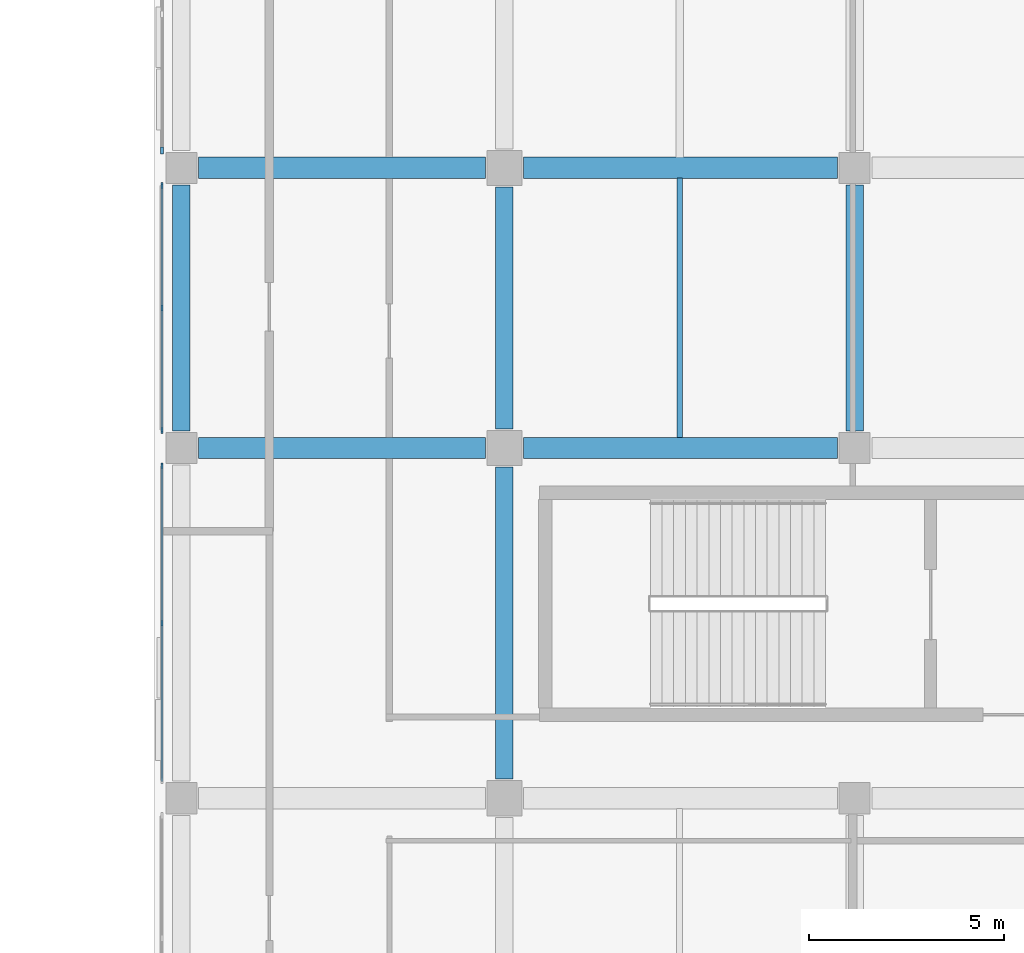
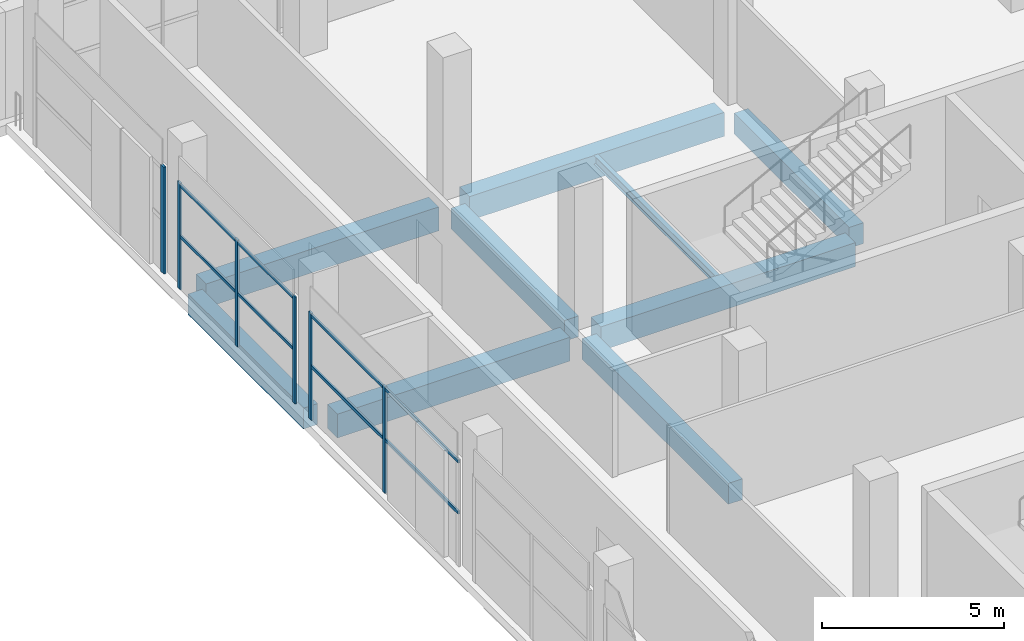
# One storey, part 36 of 111: 10 members, 9 beams, 3 elements without a shape of their own.
"""IFC4 building model written with IfcOpenShell, lengths in metres."""

from ifc_helpers import new_model, si_unit, direction, frame, origin, origin_2d, place, context, subcontext, project, spatial, rectangle, i_section, extrude, material, material_profile, profile_set, type_object, element, aggregate, save


model = new_model("IFC4")

# Units and contexts
model_context = context("Model", 3, precision=1e-05, world=origin(), true_north=direction((0.0, 1.0)))
body_context = subcontext(model_context, "Body", "Model", "MODEL_VIEW")
ifc_project = project(units=[si_unit("LENGTHUNIT", "METRE"), si_unit("AREAUNIT", "SQUARE_METRE"), si_unit("VOLUMEUNIT", "CUBIC_METRE"), si_unit("PLANEANGLEUNIT", "RADIAN"), si_unit("MASSUNIT", "GRAM", prefix="KILO"), si_unit("THERMODYNAMICTEMPERATUREUNIT", "KELVIN"), si_unit("POWERUNIT", "WATT")], contexts=[model_context])

# Site, building, storey
site_placement = place(None, origin())
site = spatial("IfcSite", under=ifc_project, at=site_placement, CompositionType="ELEMENT")
building_placement = place(site_placement, origin())
building = spatial("IfcBuilding", under=site, at=building_placement, Name="Sindhuravela Promenade Stadium", CompositionType="ELEMENT")
storey_placement = place(building_placement, frame((0.0, 0.0, 9.60009765625)))
storey = spatial("IfcBuildingStorey", under=building, at=storey_placement, Name="L02", CompositionType="ELEMENT", Elevation=9.60009765625)

# Curtain wall, member
ifc_material_1 = material(Name="Anodised architectural aluminium 6063-T6", Category="aluminium")
curtain_wall_type_1 = type_object("IfcCurtainWallType", Name="CW-MOD-7", PredefinedType="NOTDEFINED", material=ifc_material_1)
curtain_wall_1_placement = place(storey_placement, origin())
curtain_wall_1 = element("IfcCurtainWall", 1, at=curtain_wall_1_placement, inside=storey, type_object=curtain_wall_type_1, Name="Bronze curtain wall CW-EAST-L02-102", PredefinedType="NOTDEFINED")
ifc_material_profile_1 = material_profile(ifc_material_1, rectangle(XDim=0.074951171875, YDim=0.175048828125, at=origin_2d()), Name="ALU MULL 75x175")
ifc_profile_set_1 = profile_set([ifc_material_profile_1], Name="Anodised architectural aluminium 6063-T6")
member_type_1 = type_object("IfcMemberType", Name="CW-MUL-1", PredefinedType="MULLION", material=ifc_profile_set_1)
member_1_placement = place(storey_placement, frame((171.199951171875, 117.449951171875, 0.0), z_axis=(0.0, 0.0, 1.0), x_axis=(1.0, 0.0, 0.0)))
member_1 = element("IfcMember", 2, at=member_1_placement, type_object=member_type_1, Name="Curtain wall mullion CW-EAST-L02-102-M1", PredefinedType="MULLION", context=body_context, shape_type="SweptSolid", body=[
    extrude(rectangle(XDim=0.074951171875, YDim=0.175048828125, at=origin_2d()), origin(), (0.0, 0.0, 1.0), 3.579833984375),
])
aggregate(curtain_wall_1, [member_1])

# Curtain wall, members
curtain_wall_type_2 = type_object("IfcCurtainWallType", Name="CW-MOD-5", PredefinedType="NOTDEFINED", material=ifc_material_1)
curtain_wall_2_placement = place(storey_placement, origin())
curtain_wall_2 = element("IfcCurtainWall", 3, at=curtain_wall_2_placement, inside=storey, type_object=curtain_wall_type_2, Name="Bronze curtain wall CW-EAST-L02-100", PredefinedType="NOTDEFINED")
ifc_material_profile_2 = material_profile(ifc_material_1, rectangle(XDim=0.06005859375, YDim=0.139892578125, at=origin_2d()), Name="ALU M60x140")
ifc_profile_set_2 = profile_set([ifc_material_profile_2], Name="Anodised architectural aluminium 6063-T6")
member_type_2 = type_object("IfcMemberType", Name="CW-MUL-5", PredefinedType="MULLION", material=ifc_profile_set_2)
member_2_placement = place(storey_placement, frame((171.199951171875, 105.300048828125, 0.0), z_axis=(0.0, 0.0, 1.0), x_axis=(1.0, 0.0, 0.0)))
member_2 = element("IfcMember", 4, at=member_2_placement, type_object=member_type_2, Name="Curtain wall mullion CW-EAST-L02-100-M2", PredefinedType="MULLION", context=body_context, shape_type="SweptSolid", body=[
    extrude(rectangle(XDim=0.06005859375, YDim=0.139892578125, at=origin_2d()), origin(), (0.0, 0.0, 1.0), 3.579833984375),
])
member_3_placement = place(storey_placement, frame((171.199951171875, 109.35009765625, 0.0), z_axis=(0.0, 0.0, 1.0), x_axis=(1.0, 0.0, 0.0)))
member_3 = element("IfcMember", 5, at=member_3_placement, type_object=member_type_2, Name="Curtain wall mullion CW-EAST-L02-100-M3", PredefinedType="MULLION", context=body_context, shape_type="SweptSolid", body=[
    extrude(rectangle(XDim=0.06005859375, YDim=0.139892578125, at=origin_2d()), origin(), (0.0, 0.0, 1.0), 3.579833984375),
])

curtain_wall_type_3 = type_object("IfcCurtainWallType", Name="CW-MOD-6", PredefinedType="NOTDEFINED", material=ifc_material_1)
curtain_wall_3_placement = place(storey_placement, origin())
curtain_wall_3 = element("IfcCurtainWall", 6, at=curtain_wall_3_placement, inside=storey, type_object=curtain_wall_type_3, Name="Bronze curtain wall CW-EAST-L02-101", PredefinedType="NOTDEFINED")
ifc_material_profile_3 = material_profile(ifc_material_1, rectangle(XDim=0.054931640625, YDim=0.14990234375, at=origin_2d()), Name="ALU M55x150")
ifc_profile_set_3 = profile_set([ifc_material_profile_3], Name="Anodised architectural aluminium 6063-T6")
member_type_3 = type_object("IfcMemberType", Name="CW-MUL-6", PredefinedType="MULLION", material=ifc_profile_set_3)
member_4_placement = place(storey_placement, frame((171.199951171875, 110.25, 0.0), z_axis=(0.0, 0.0, 1.0), x_axis=(1.0, 0.0, 0.0)))
member_4 = element("IfcMember", 7, at=member_4_placement, type_object=member_type_3, Name="Curtain wall mullion CW-EAST-L02-101-M1", PredefinedType="MULLION", context=body_context, shape_type="SweptSolid", body=[
    extrude(rectangle(XDim=0.054931640625, YDim=0.14990234375, at=origin_2d()), origin(), (0.0, 0.0, 1.0), 3.579833984375),
])
member_5_placement = place(storey_placement, frame((171.199951171875, 113.39990234375, 0.0), z_axis=(0.0, 0.0, 1.0), x_axis=(1.0, 0.0, 0.0)))
member_5 = element("IfcMember", 8, at=member_5_placement, type_object=member_type_3, Name="Curtain wall mullion CW-EAST-L02-101-M2", PredefinedType="MULLION", context=body_context, shape_type="SweptSolid", body=[
    extrude(rectangle(XDim=0.054931640625, YDim=0.14990234375, at=origin_2d()), origin(), (0.0, 0.0, 1.0), 3.579833984375),
])
member_6_placement = place(storey_placement, frame((171.199951171875, 116.550048828125, 0.0), z_axis=(0.0, 0.0, 1.0), x_axis=(1.0, 0.0, 0.0)))
member_6 = element("IfcMember", 9, at=member_6_placement, type_object=member_type_3, Name="Curtain wall mullion CW-EAST-L02-101-M3", PredefinedType="MULLION", context=body_context, shape_type="SweptSolid", body=[
    extrude(rectangle(XDim=0.054931640625, YDim=0.14990234375, at=origin_2d()), origin(), (0.0, 0.0, 1.0), 3.579833984375),
])

# Member
ifc_material_profile_4 = material_profile(ifc_material_1, rectangle(XDim=0.06005859375, YDim=0.110107421875, at=origin_2d()), Name="ALU T60x110")
ifc_profile_set_4 = profile_set([ifc_material_profile_4], Name="Anodised architectural aluminium 6063-T6")
member_type_4 = type_object("IfcMemberType", Name="CW-TRN-5", PredefinedType="USERDEFINED", material=ifc_profile_set_4)
member_7_placement = place(storey_placement, frame((171.199951171875, 101.22509765625, 1.789794921875), z_axis=(0.0, 1.0, 0.0), x_axis=(-1.0, 0.0, 0.0)))
member_7 = element("IfcMember", 10, at=member_7_placement, type_object=member_type_4, Name="Curtain wall transom CW-EAST-L02-100-T1", ObjectType="TRANSOM", PredefinedType="USERDEFINED", context=body_context, shape_type="SweptSolid", body=[
    extrude(rectangle(XDim=0.06005859375, YDim=0.110107421875, at=origin_2d()), origin(), (0.0, 0.0, 1.0), 8.14990234375),
])

member_8_placement = place(storey_placement, frame((171.199951171875, 101.22509765625, 3.5), z_axis=(0.0, 1.0, 0.0), x_axis=(-1.0, 0.0, 0.0)))
member_8 = element("IfcMember", 11, at=member_8_placement, type_object=member_type_4, Name="Curtain wall transom CW-EAST-L02-100-T2", ObjectType="TRANSOM", PredefinedType="USERDEFINED", context=body_context, shape_type="SweptSolid", body=[
    extrude(rectangle(XDim=0.06005859375, YDim=0.110107421875, at=origin_2d()), origin(), (0.0, 0.0, 1.0), 8.14990234375),
])

aggregate(curtain_wall_2, [member_2, member_3, member_7, member_8])

ifc_material_profile_5 = material_profile(ifc_material_1, rectangle(XDim=0.054931640625, YDim=0.10498046875, at=origin_2d()), Name="ALU T55x105")
ifc_profile_set_5 = profile_set([ifc_material_profile_5], Name="Anodised architectural aluminium 6063-T6")
member_type_5 = type_object("IfcMemberType", Name="CW-TRN-6", PredefinedType="USERDEFINED", material=ifc_profile_set_5)
member_9_placement = place(storey_placement, frame((171.199951171875, 110.22509765625, 1.789794921875), z_axis=(0.0, 1.0, 0.0), x_axis=(-1.0, 0.0, 0.0)))
member_9 = element("IfcMember", 12, at=member_9_placement, type_object=member_type_5, Name="Curtain wall transom CW-EAST-L02-101-T1", ObjectType="TRANSOM", PredefinedType="USERDEFINED", context=body_context, shape_type="SweptSolid", body=[
    extrude(rectangle(XDim=0.054931640625, YDim=0.10498046875, at=origin_2d()), origin(), (0.0, 0.0, 1.0), 6.349853515625),
])

member_10_placement = place(storey_placement, frame((171.199951171875, 110.22509765625, 3.5), z_axis=(0.0, 1.0, 0.0), x_axis=(-1.0, 0.0, 0.0)))
member_10 = element("IfcMember", 13, at=member_10_placement, type_object=member_type_5, Name="Curtain wall transom CW-EAST-L02-101-T2", ObjectType="TRANSOM", PredefinedType="USERDEFINED", context=body_context, shape_type="SweptSolid", body=[
    extrude(rectangle(XDim=0.054931640625, YDim=0.10498046875, at=origin_2d()), origin(), (0.0, 0.0, 1.0), 6.349853515625),
])

aggregate(curtain_wall_3, [member_4, member_5, member_6, member_9, member_10])

# Beams
ifc_material_2 = material(Name="Concrete M40", Category="concrete")
ifc_material_profile_6 = material_profile(ifc_material_2, rectangle(XDim=0.449951171875, YDim=0.699951171875, at=origin_2d()), Name="RC 450x700")
ifc_profile_set_6 = profile_set([ifc_material_profile_6], Name="Concrete M40")
beam_type_1 = type_object("IfcBeamType", Name="RC-BM-450x700", PredefinedType="BEAM", material=ifc_profile_set_6)
beam_1_placement = place(storey_placement, frame((171.699951171875, 110.239990234375, -0.630126953125), z_axis=(0.0, 1.0, 0.0), x_axis=(-1.0, 0.0, 0.0)))
element("IfcBeam", 14, at=beam_1_placement, inside=storey, type_object=beam_type_1, Name="Primary beam GB07 EAST L02", PredefinedType="BEAM", context=body_context, shape_type="SweptSolid", body=[
    extrude(rectangle(XDim=0.449951171875, YDim=0.699951171875, at=origin_2d()), origin(), (0.0, 0.0, 1.0), 6.320068359375),
])
beam_2_placement = place(storey_placement, frame((180.0, 101.2900390625, -0.630126953125), z_axis=(0.0, 1.0, 0.0), x_axis=(-1.0, 0.0, 0.0)))
element("IfcBeam", 15, at=beam_2_placement, inside=storey, type_object=beam_type_1, Name="Primary beam GB07 EAST L02", PredefinedType="BEAM", context=body_context, shape_type="SweptSolid", body=[
    extrude(rectangle(XDim=0.449951171875, YDim=0.699951171875, at=origin_2d()), origin(), (0.0, 0.0, 1.0), 8.02001953125),
])
beam_3_placement = place(storey_placement, frame((180.0, 110.2900390625, -0.630126953125), z_axis=(0.0, 1.0, 0.0), x_axis=(-1.0, 0.0, 0.0)))
element("IfcBeam", 16, at=beam_3_placement, inside=storey, type_object=beam_type_1, Name="Primary beam GB07 EAST L02", PredefinedType="BEAM", context=body_context, shape_type="SweptSolid", body=[
    extrude(rectangle(XDim=0.449951171875, YDim=0.699951171875, at=origin_2d()), origin(), (0.0, 0.0, 1.0), 6.219970703125),
])
beam_4_placement = place(storey_placement, frame((189.0, 110.239990234375, -0.630126953125), z_axis=(0.0, 1.0, 0.0), x_axis=(-1.0, 0.0, 0.0)))
element("IfcBeam", 17, at=beam_4_placement, inside=storey, type_object=beam_type_1, Name="Primary beam GB07 EAST L02", PredefinedType="BEAM", context=body_context, shape_type="SweptSolid", body=[
    extrude(rectangle(XDim=0.449951171875, YDim=0.699951171875, at=origin_2d()), origin(), (0.0, 0.0, 1.0), 6.320068359375),
])
ifc_material_profile_7 = material_profile(ifc_material_2, rectangle(XDim=0.550048828125, YDim=0.800048828125, at=origin_2d()), Name="RC 550x800")
ifc_profile_set_7 = profile_set([ifc_material_profile_7], Name="Concrete M40")
beam_type_2 = type_object("IfcBeamType", Name="RC-BM-550x800", PredefinedType="BEAM", material=ifc_profile_set_7)
beam_5_placement = place(storey_placement, frame((172.139892578125, 109.800048828125, -0.68017578125), z_axis=(1.0, 0.0, 0.0), x_axis=(0.0, 1.0, 0.0)))
element("IfcBeam", 18, at=beam_5_placement, inside=storey, type_object=beam_type_2, Name="Primary girder GB05 EAST L02", PredefinedType="BEAM", context=body_context, shape_type="SweptSolid", body=[
    extrude(rectangle(XDim=0.550048828125, YDim=0.800048828125, at=origin_2d()), origin(), (0.0, 0.0, 1.0), 7.3701171875),
])
beam_6_placement = place(storey_placement, frame((180.489990234375, 109.800048828125, -0.68017578125), z_axis=(1.0, 0.0, 0.0), x_axis=(0.0, 1.0, 0.0)))
element("IfcBeam", 19, at=beam_6_placement, inside=storey, type_object=beam_type_2, Name="Primary girder GB05 EAST L02", PredefinedType="BEAM", context=body_context, shape_type="SweptSolid", body=[
    extrude(rectangle(XDim=0.550048828125, YDim=0.800048828125, at=origin_2d()), origin(), (0.0, 0.0, 1.0), 8.070068359375),
])
beam_7_placement = place(storey_placement, frame((172.139892578125, 117.0, -0.68017578125), z_axis=(1.0, 0.0, 0.0), x_axis=(0.0, 1.0, 0.0)))
element("IfcBeam", 20, at=beam_7_placement, inside=storey, type_object=beam_type_2, Name="Primary girder GB05 EAST L02", PredefinedType="BEAM", context=body_context, shape_type="SweptSolid", body=[
    extrude(rectangle(XDim=0.550048828125, YDim=0.800048828125, at=origin_2d()), origin(), (0.0, 0.0, 1.0), 7.3701171875),
])
beam_8_placement = place(storey_placement, frame((180.489990234375, 117.0, -0.68017578125), z_axis=(1.0, 0.0, 0.0), x_axis=(0.0, 1.0, 0.0)))
element("IfcBeam", 21, at=beam_8_placement, inside=storey, type_object=beam_type_2, Name="Primary girder GB05 EAST L02", PredefinedType="BEAM", context=body_context, shape_type="SweptSolid", body=[
    extrude(rectangle(XDim=0.550048828125, YDim=0.800048828125, at=origin_2d()), origin(), (0.0, 0.0, 1.0), 8.070068359375),
])
ifc_material_3 = material(Name="Steel E350 (IS 2062 E350BR)", Category="steel")
ifc_material_profile_8 = material_profile(ifc_material_3, i_section(OverallWidth=0.139892578125, OverallDepth=0.300048828125, WebThickness=0.0078125, FlangeThickness=0.01318359375, FilletRadius=0.013916015625, at=origin_2d()), Name="ISMB 300")
ifc_profile_set_8 = profile_set([ifc_material_profile_8], Name="Steel E350 (IS 2062 E350BR)")
beam_type_3 = type_object("IfcBeamType", Name="ST-BM-MB300", PredefinedType="JOIST", material=ifc_profile_set_8)
beam_9_placement = place(storey_placement, frame((184.5, 110.06494140625, -0.43017578125), z_axis=(0.0, 1.0, 0.0), x_axis=(-1.0, 0.0, 0.0)))
element("IfcBeam", 22, at=beam_9_placement, inside=storey, type_object=beam_type_3, Name="Secondary floor joist SB03 EAST L02", PredefinedType="JOIST", context=body_context, shape_type="SweptSolid", body=[
    extrude(i_section(OverallWidth=0.139892578125, OverallDepth=0.300048828125, WebThickness=0.0078125, FlangeThickness=0.01318359375, FilletRadius=0.013916015625, at=origin_2d()), origin(), (0.0, 0.0, 1.0), 6.670166015625),
])

save(model, "model.ifc")
